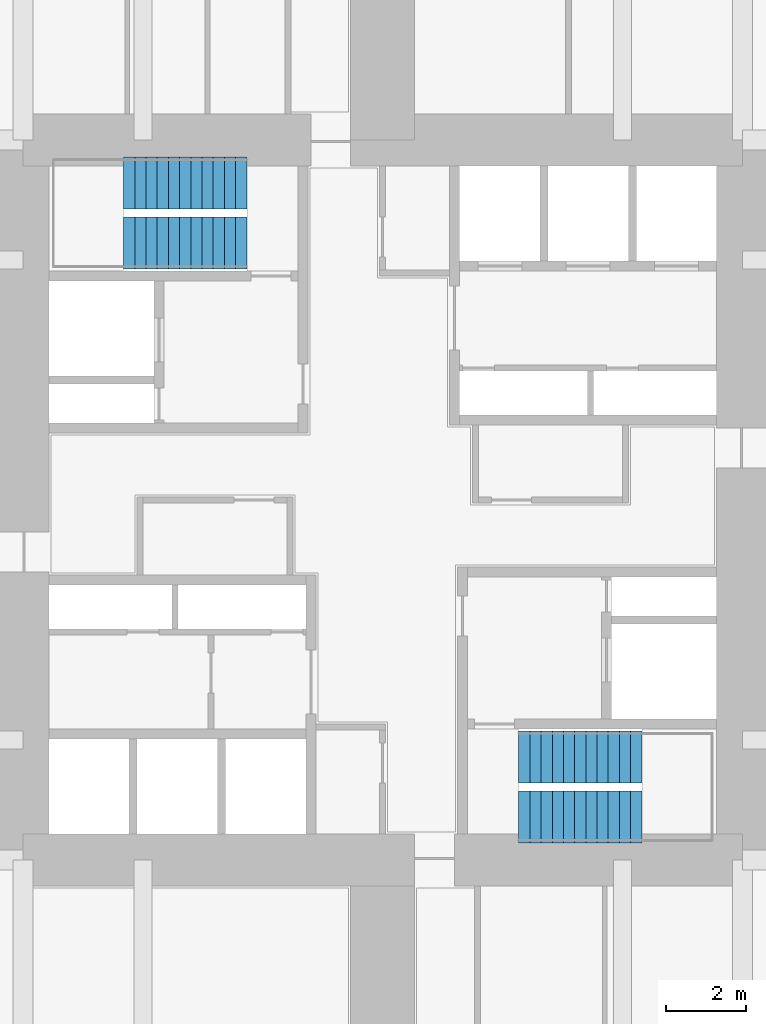
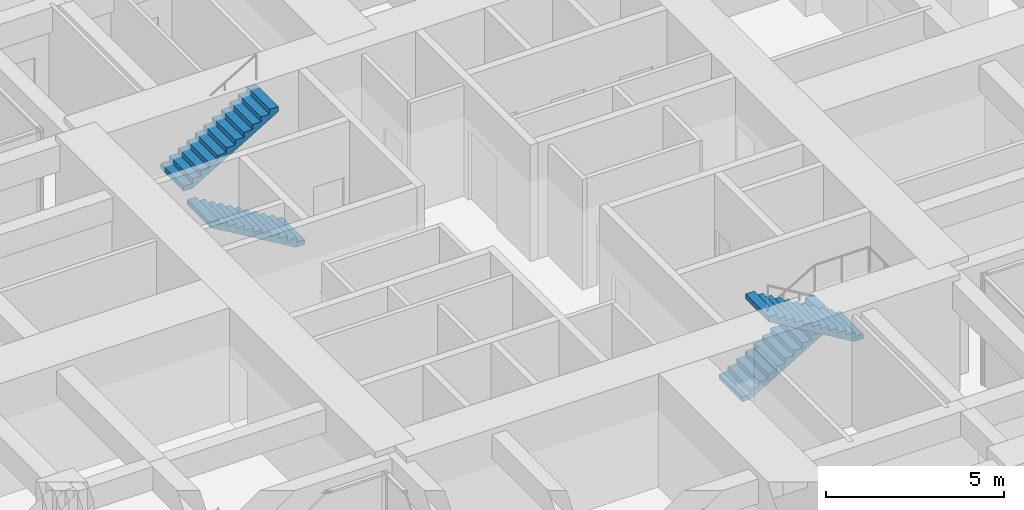
# One storey, part 12 of 13: 4 stair flights, 2 elements without a shape of their own.
"""IFC4 building model written with IfcOpenShell, lengths in metres."""

from ifc_helpers import new_model, si_unit, direction, frame, origin, place, context, subcontext, project, spatial, polyline, outline, extrude, material, type_object, element, aggregate, save


model = new_model("IFC4")

# Units and contexts
model_context = context("Model", 3, precision=1e-05, world=origin(), true_north=direction((0.0, 1.0)))
body_context = subcontext(model_context, "Body", "Model", "MODEL_VIEW")
ifc_project = project(units=[si_unit("LENGTHUNIT", "METRE"), si_unit("AREAUNIT", "SQUARE_METRE"), si_unit("VOLUMEUNIT", "CUBIC_METRE"), si_unit("PLANEANGLEUNIT", "RADIAN"), si_unit("MASSUNIT", "GRAM", prefix="KILO")], contexts=[model_context])

# Site, building, storey
site_placement = place(None, origin())
site = spatial("IfcSite", under=ifc_project, at=site_placement, CompositionType="ELEMENT")
building_placement = place(site_placement, origin())
building = spatial("IfcBuilding", under=site, at=building_placement, Name="Torre Cruceta", CompositionType="ELEMENT")
storey_placement = place(building_placement, frame((0.0, 0.0, 27.5)))
storey = spatial("IfcBuildingStorey", under=building, at=storey_placement, Name="L06", CompositionType="ELEMENT", Elevation=27.5)

# Stair, stair flights
ifc_material_1 = material(Name="Concrete G30 (fck 30 MPa)", Category="concrete")
stair_type = type_object("IfcStairType", Name="STAIR HALF-TURN 1300", PredefinedType="HALF_TURN_STAIR", material=ifc_material_1)
stair_1_placement = place(storey_placement, origin())
stair_1 = element("IfcStair", 1, at=stair_1_placement, inside=storey, type_object=stair_type, Name="Stair ST1 L06", PredefinedType="HALF_TURN_STAIR")
ifc_material_2 = material(Name="Concrete G30 (fck 30 MPa)", Category="concrete")
stair_flight_type = type_object("IfcStairFlightType", Name="STAIR FLIGHT 1300", PredefinedType="STRAIGHT", material=ifc_material_2)
stair_flight_1_placement = place(storey_placement, frame((-3.39990234375, 6.425048828125, 0.0), z_axis=(0.0, 0.0, 1.0), x_axis=(-1.0, 0.0, 0.0)))
stair_flight_1 = element("IfcStairFlight", 2, at=stair_flight_1_placement, type_object=stair_flight_type, Name="ST1 flight 1", NumberOfRisers=12, NumberOfTreads=11, PredefinedType="STRAIGHT", RiserHeight=0.166666667, TreadLength=0.28, context=body_context, shape_type="SweptSolid", body=[
    extrude(outline(polyline([(0.0, 0.0), (0.0, 0.166748046875), (0.280029296875, 0.166748046875), (0.280029296875, 0.333251953125), (0.56005859375, 0.333251953125), (0.56005859375, 0.5), (0.840087890625, 0.5), (0.840087890625, 0.666748046875), (1.1201171875, 0.666748046875), (1.1201171875, 0.833251953125), (1.39990234375, 0.833251953125), (1.39990234375, 1.0), (1.679931640625, 1.0), (1.679931640625, 1.166748046875), (1.9599609375, 1.166748046875), (1.9599609375, 1.333251953125), (2.239990234375, 1.333251953125), (2.239990234375, 1.5), (2.52001953125, 1.5), (2.52001953125, 1.666748046875), (2.800048828125, 1.666748046875), (2.800048828125, 1.833251953125), (3.080078125, 1.833251953125), (3.080078125, 2.0), (3.080078125, 1.658935546875), (0.29296875, 0.0), (0.0, 0.0)])), frame((0.0, 0.64990234375, 0.0), z_axis=(0.0, -1.0, 0.0), x_axis=(1.0, 0.0, 0.0)), (0.0, 0.0, 1.0), 1.300048828125),
])
stair_flight_2_placement = place(storey_placement, frame((-6.47998046875, 7.925048828125, 2.0), z_axis=(0.0, 0.0, 1.0), x_axis=(1.0, 0.0, 0.0)))
stair_flight_2 = element("IfcStairFlight", 3, at=stair_flight_2_placement, type_object=stair_flight_type, Name="ST1 flight 2", NumberOfRisers=12, NumberOfTreads=11, PredefinedType="STRAIGHT", RiserHeight=0.166666667, TreadLength=0.28, context=body_context, shape_type="SweptSolid", body=[
    extrude(outline(polyline([(0.0, 0.0), (0.0, 0.166748046875), (0.280029296875, 0.166748046875), (0.280029296875, 0.333251953125), (0.56005859375, 0.333251953125), (0.56005859375, 0.5), (0.840087890625, 0.5), (0.840087890625, 0.666748046875), (1.1201171875, 0.666748046875), (1.1201171875, 0.833251953125), (1.39990234375, 0.833251953125), (1.39990234375, 1.0), (1.679931640625, 1.0), (1.679931640625, 1.166748046875), (1.9599609375, 1.166748046875), (1.9599609375, 1.333251953125), (2.239990234375, 1.333251953125), (2.239990234375, 1.5), (2.52001953125, 1.5), (2.52001953125, 1.666748046875), (2.800048828125, 1.666748046875), (2.800048828125, 1.833251953125), (3.080078125, 1.833251953125), (3.080078125, 2.0), (3.080078125, 1.658935546875), (0.29296875, 0.0), (0.0, 0.0)])), frame((0.0, 0.64990234375, 0.0), z_axis=(0.0, -1.0, 0.0), x_axis=(1.0, 0.0, 0.0)), (0.0, 0.0, 1.0), 1.300048828125),
])
aggregate(stair_1, [stair_flight_1, stair_flight_2])

stair_2_placement = place(storey_placement, origin())
stair_2 = element("IfcStair", 4, at=stair_2_placement, inside=storey, type_object=stair_type, Name="Stair ST2 L06", PredefinedType="HALF_TURN_STAIR")
stair_flight_3_placement = place(storey_placement, frame((3.39990234375, -6.425048828125, 0.0), z_axis=(0.0, 0.0, 1.0), x_axis=(1.0, 0.0, 0.0)))
stair_flight_3 = element("IfcStairFlight", 5, at=stair_flight_3_placement, type_object=stair_flight_type, Name="ST2 flight 1", NumberOfRisers=12, NumberOfTreads=11, PredefinedType="STRAIGHT", RiserHeight=0.166666667, TreadLength=0.28, context=body_context, shape_type="SweptSolid", body=[
    extrude(outline(polyline([(0.0, 0.0), (0.0, 0.166748046875), (0.280029296875, 0.166748046875), (0.280029296875, 0.333251953125), (0.56005859375, 0.333251953125), (0.56005859375, 0.5), (0.840087890625, 0.5), (0.840087890625, 0.666748046875), (1.1201171875, 0.666748046875), (1.1201171875, 0.833251953125), (1.39990234375, 0.833251953125), (1.39990234375, 1.0), (1.679931640625, 1.0), (1.679931640625, 1.166748046875), (1.9599609375, 1.166748046875), (1.9599609375, 1.333251953125), (2.239990234375, 1.333251953125), (2.239990234375, 1.5), (2.52001953125, 1.5), (2.52001953125, 1.666748046875), (2.800048828125, 1.666748046875), (2.800048828125, 1.833251953125), (3.080078125, 1.833251953125), (3.080078125, 2.0), (3.080078125, 1.658935546875), (0.29296875, 0.0), (0.0, 0.0)])), frame((0.0, 0.64990234375, 0.0), z_axis=(0.0, -1.0, 0.0), x_axis=(1.0, 0.0, 0.0)), (0.0, 0.0, 1.0), 1.300048828125),
])
stair_flight_4_placement = place(storey_placement, frame((6.47998046875, -7.925048828125, 2.0), z_axis=(0.0, 0.0, 1.0), x_axis=(-1.0, 0.0, 0.0)))
stair_flight_4 = element("IfcStairFlight", 6, at=stair_flight_4_placement, type_object=stair_flight_type, Name="ST2 flight 2", NumberOfRisers=12, NumberOfTreads=11, PredefinedType="STRAIGHT", RiserHeight=0.166666667, TreadLength=0.28, context=body_context, shape_type="SweptSolid", body=[
    extrude(outline(polyline([(0.0, 0.0), (0.0, 0.166748046875), (0.280029296875, 0.166748046875), (0.280029296875, 0.333251953125), (0.56005859375, 0.333251953125), (0.56005859375, 0.5), (0.840087890625, 0.5), (0.840087890625, 0.666748046875), (1.1201171875, 0.666748046875), (1.1201171875, 0.833251953125), (1.39990234375, 0.833251953125), (1.39990234375, 1.0), (1.679931640625, 1.0), (1.679931640625, 1.166748046875), (1.9599609375, 1.166748046875), (1.9599609375, 1.333251953125), (2.239990234375, 1.333251953125), (2.239990234375, 1.5), (2.52001953125, 1.5), (2.52001953125, 1.666748046875), (2.800048828125, 1.666748046875), (2.800048828125, 1.833251953125), (3.080078125, 1.833251953125), (3.080078125, 2.0), (3.080078125, 1.658935546875), (0.29296875, 0.0), (0.0, 0.0)])), frame((0.0, 0.64990234375, 0.0), z_axis=(0.0, -1.0, 0.0), x_axis=(1.0, 0.0, 0.0)), (0.0, 0.0, 1.0), 1.300048828125),
])
aggregate(stair_2, [stair_flight_3, stair_flight_4])

save(model, "model.ifc")
